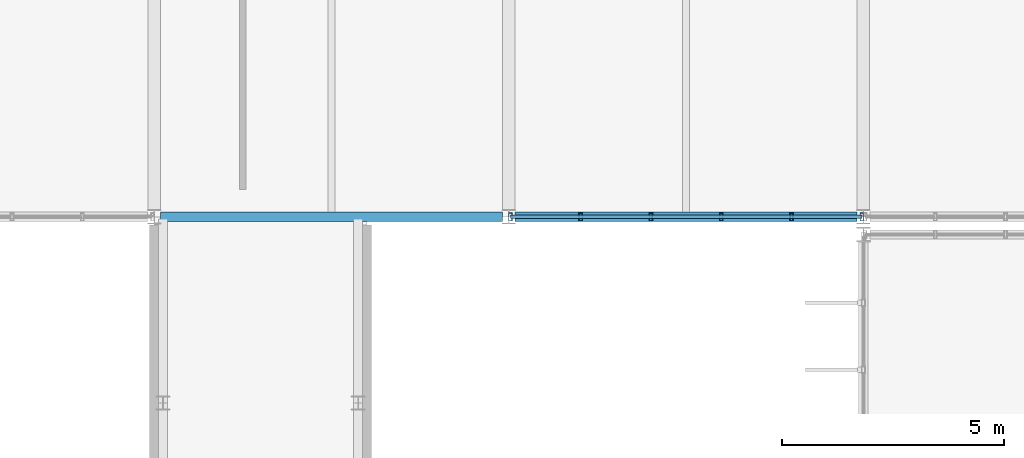
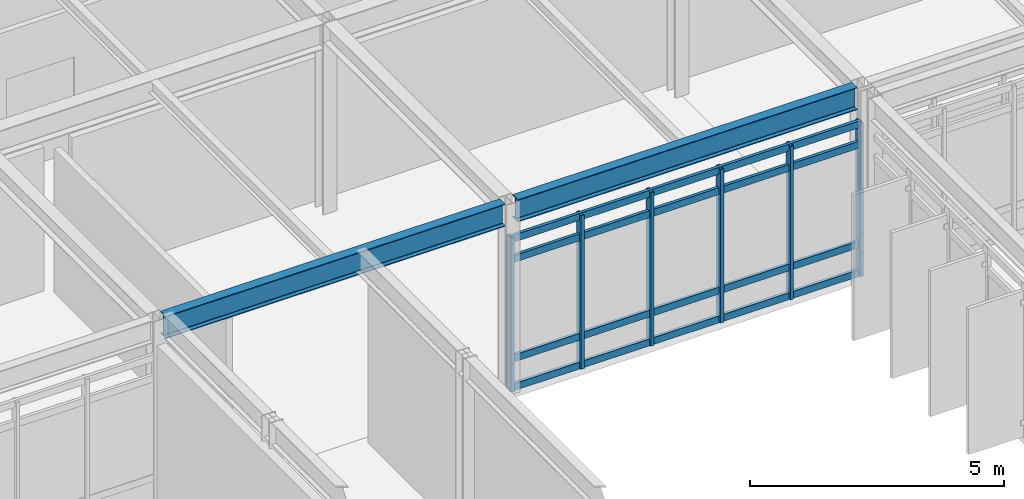
# One storey, part 32 of 104: 10 members, 2 beams, 1 element without a shape of its own.
"""IFC4 building model written with IfcOpenShell, lengths in metres."""

import ifcopenshell
import ifcopenshell.guid

model = None  # the IFC model being written
_history = None  # IfcOwnerHistory: only IFC2X3 demands one
_inside = {}  # id of a spatial element -> (the spatial element, [elements in it])
_under = {}  # id of a project, library or spatial element -> (it, [spatial elements below it])
_declared = {}  # id of a project -> (the project, [libraries it declares])
_typed = {}  # id of a type object -> (the type object, [elements of that type])
_made_of = {}  # id of a material, layer set ... -> (it, [elements and type objects made of it])


def new_model(schema):
    """Start an empty IFC model of exactly this schema.

    Asked for "IFC4X3", IfcOpenShell would pick the latest addendum, in which some entities
    have other attributes; the version numbers below select the first issue.
    IFC2X3 requires an IfcOwnerHistory on every rooted entity: one is made here for all.
    """
    global model, _history
    if schema == "IFC4X3":
        model = ifcopenshell.file(schema_version=(4, 3, 0, 0))
    else:
        model = ifcopenshell.file(schema=schema)
    _inside.clear()
    _under.clear()
    _declared.clear()
    _typed.clear()
    _made_of.clear()
    _history = None
    if model.schema == "IFC2X3":
        org = make("IfcOrganization", Name="unknown")
        user = make(
            "IfcPersonAndOrganization",
            ThePerson=make("IfcPerson", FamilyName="unknown"),
            TheOrganization=org,
        )
        app = make(
            "IfcApplication",
            ApplicationDeveloper=org,
            Version="unknown",
            ApplicationFullName="unknown",
            ApplicationIdentifier="unknown",
        )
        _history = make(
            "IfcOwnerHistory",
            OwningUser=user,
            OwningApplication=app,
            ChangeAction="ADDED",
            CreationDate=0,
        )
    return model


def make(cls, **values):
    """One entity of the class cls with the attributes given. An attribute that is None is left unset."""
    return model.create_entity(
        cls, **{name: value for name, value in values.items() if value is not None}
    )


def rooted(cls, **values):
    """An entity with a GlobalId (a new one), such as an element, a storey or a relation."""
    return make(cls, GlobalId=ifcopenshell.guid.new(), OwnerHistory=_history, **values)


def si_unit(unit_type, name, prefix=None):
    """IfcSIUnit, for example si_unit("LENGTHUNIT", "METRE", prefix="MILLI")."""
    return make("IfcSIUnit", UnitType=unit_type, Prefix=prefix, Name=name)


def assignment(units):
    """IfcUnitAssignment: the units of a project."""
    return None if units is None else make("IfcUnitAssignment", Units=units)


def point(xyz):
    """IfcCartesianPoint."""
    return None if xyz is None else make("IfcCartesianPoint", Coordinates=xyz)


def direction(xyz):
    """IfcDirection."""
    return None if xyz is None else make("IfcDirection", DirectionRatios=xyz)


def frame(location, z_axis=None, x_axis=None):
    """IfcAxis2Placement3D, a coordinate frame: its origin and axes. An axis left out is left unset."""
    return make(
        "IfcAxis2Placement3D",
        Location=point(location),
        Axis=direction(z_axis),
        RefDirection=direction(x_axis),
    )


def frame_2d(location, x_axis=None):
    """IfcAxis2Placement2D, a coordinate frame in the plane: its origin and x axis."""
    return make(
        "IfcAxis2Placement2D", Location=point(location), RefDirection=direction(x_axis)
    )


def origin():
    """The frame at (0, 0, 0) with its axes left unset."""
    return frame((0.0, 0.0, 0.0))


def origin_2d():
    """The frame at (0, 0) in the plane with its x axis left unset."""
    return frame_2d((0.0, 0.0))


def place(relative_to, where):
    """IfcLocalPlacement: puts the frame where relative to a parent placement (None: the world)."""
    return make(
        "IfcLocalPlacement", PlacementRelTo=relative_to, RelativePlacement=where
    )


def context(
    kind, dimensions, precision=None, world=None, true_north=None, identifier=None
):
    """IfcGeometricRepresentationContext, for example the 3D "Model" context."""
    return make(
        "IfcGeometricRepresentationContext",
        ContextIdentifier=identifier,
        ContextType=kind,
        CoordinateSpaceDimension=dimensions,
        Precision=precision,
        WorldCoordinateSystem=world,
        TrueNorth=true_north,
    )


def subcontext(parent, identifier, kind, view, scale=None):
    """IfcGeometricRepresentationSubContext, for example "Body" below "Model"."""
    return make(
        "IfcGeometricRepresentationSubContext",
        ContextIdentifier=identifier,
        ContextType=kind,
        ParentContext=parent,
        TargetScale=scale,
        TargetView=view,
    )


def project(units=None, contexts=None):
    """IfcProject with its units and contexts."""
    return rooted(
        "IfcProject",
        Name="project",
        RepresentationContexts=contexts,
        UnitsInContext=assignment(units),
    )


def spatial(cls, under=None, at=None, **own):
    """A site, building, storey or space (cls), placed at a placement, below another one or the project."""
    s = rooted(cls, ObjectPlacement=at, **own)
    if under is not None:
        _under.setdefault(under.id(), (under, []))[1].append(s)
    return s


def profile(cls, at=None, kind="AREA", **sizes):
    """A parametric profile (cls). Its sizes go by their IFC names, for example OverallWidth=200.0."""
    return make(cls, ProfileType=kind, Position=at, **sizes)


def hollow_rectangle(**sizes):
    """IfcRectangleHollowProfileDef."""
    return profile("IfcRectangleHollowProfileDef", **sizes)


def i_section(**sizes):
    """IfcIShapeProfileDef."""
    return profile("IfcIShapeProfileDef", **sizes)


def extrude(swept, where, along, depth):
    """IfcExtrudedAreaSolid: the profile swept, set in the frame where, extruded along a direction by depth."""
    return make(
        "IfcExtrudedAreaSolid",
        SweptArea=swept,
        Position=where,
        ExtrudedDirection=direction(along),
        Depth=depth,
    )


def shape(context_of_items, identifier, shape_type, items):
    """IfcShapeRepresentation: the items that make up one representation, for example the "Body"."""
    return make(
        "IfcShapeRepresentation",
        ContextOfItems=context_of_items,
        RepresentationIdentifier=identifier,
        RepresentationType=shape_type,
        Items=items,
    )


def material(Name=None, Category=None):
    """IfcMaterial."""
    return make("IfcMaterial", Name=Name, Category=Category)


def material_profile(
    of_material, cross_section, Name=None, Category=None, Priority=None
):
    """IfcMaterialProfile: a cross section and its material."""
    return make(
        "IfcMaterialProfile",
        Name=Name,
        Material=of_material,
        Profile=cross_section,
        Priority=Priority,
        Category=Category,
    )


def profile_set(profiles, Name=None, composite=None):
    """IfcMaterialProfileSet."""
    return make(
        "IfcMaterialProfileSet",
        Name=Name,
        MaterialProfiles=profiles,
        CompositeProfile=composite,
    )


def made_of(thing, what):
    """Note that an element or type object is made of a material, layer set ...; save() writes the relation."""
    if what is not None:
        _made_of.setdefault(what.id(), (what, []))[1].append(thing)
    return thing


def type_object(cls, material=None, **own):
    """A type object (cls), such as IfcWallType, which elements share."""
    return made_of(rooted(cls, **own), material)


def element(
    cls,
    number,
    at=None,
    inside=None,
    cuts=None,
    type_object=None,
    material=None,
    context=None,
    identifier="Body",
    shape_type=None,
    held_by="IfcProductDefinitionShape",
    body=None,
    shapes=None,
    **own,
):
    """One element of the class cls, such as IfcWall. Its Tag is "e" and its number.

    at: its placement. inside: the storey or other place that contains it. cuts: it is an
    opening in that element (IfcRelVoidsElement). A single representation is given by context,
    identifier, shape_type and body (its items); several are given by shapes. held_by: the class
    of the entity that holds the representations. save() writes the other relations.
    """
    e = rooted(cls, Tag="e%d" % number, ObjectPlacement=at, **own)
    if body is not None:
        shapes = [shape(context, identifier, shape_type, body)]
    if shapes is not None:
        e.Representation = make(held_by, Representations=shapes)
    if inside is not None:
        _inside.setdefault(inside.id(), (inside, []))[1].append(e)
    if cuts is not None:
        rooted(
            "IfcRelVoidsElement", RelatingBuildingElement=cuts, RelatedOpeningElement=e
        )
    if type_object is not None:
        _typed.setdefault(type_object.id(), (type_object, []))[1].append(e)
    return made_of(e, material)


def aggregate(whole, parts):
    """IfcRelAggregates: a whole, such as a stair, and the parts it consists of."""
    return rooted("IfcRelAggregates", RelatingObject=whole, RelatedObjects=parts)


def save(model, path):
    """Write the relations noted so far, then the file.

    IfcRelAggregates (storeys below a building ...), IfcRelContainedInSpatialStructure (elements
    in a storey), IfcRelDefinesByType, IfcRelAssociatesMaterial and IfcRelDeclares: one each for
    every whole, place, type object, material and project.
    """
    for whole, parts in _under.values():
        aggregate(whole, parts)
    for where, things in _inside.values():
        rooted(
            "IfcRelContainedInSpatialStructure",
            RelatedElements=things,
            RelatingStructure=where,
        )
    for kind, things in _typed.values():
        rooted("IfcRelDefinesByType", RelatedObjects=things, RelatingType=kind)
    for what, things in _made_of.values():
        rooted("IfcRelAssociatesMaterial", RelatedObjects=things, RelatingMaterial=what)
    for by, libraries in _declared.values():
        rooted("IfcRelDeclares", RelatingContext=by, RelatedDefinitions=libraries)
    model.write(path)


model = new_model("IFC4")

# Units and contexts
model_context = context("Model", 3, precision=1e-05, world=origin(), true_north=direction((0.0, 1.0)))
body_context = subcontext(model_context, "Body", "Model", "MODEL_VIEW")
ifc_project = project(units=[si_unit("LENGTHUNIT", "METRE"), si_unit("AREAUNIT", "SQUARE_METRE"), si_unit("VOLUMEUNIT", "CUBIC_METRE"), si_unit("PLANEANGLEUNIT", "RADIAN"), si_unit("MASSUNIT", "GRAM", prefix="KILO")], contexts=[model_context])

# Site, building, storey
site_placement = place(None, origin())
site = spatial("IfcSite", under=ifc_project, at=site_placement, CompositionType="ELEMENT")
building_placement = place(site_placement, origin())
building = spatial("IfcBuilding", under=site, at=building_placement, Name="Zulena Civic Courthouse", CompositionType="ELEMENT")
storey_placement = place(building_placement, frame((0.0, 0.0, 15.60009765625)))
storey = spatial("IfcBuildingStorey", under=building, at=storey_placement, Name="L03", CompositionType="ELEMENT", Elevation=15.60009765625)

# Curtain wall, members
ifc_material_1 = material(Name="Double-silver low-E laminated solar-control glass", Category="glass")
curtain_wall_type = type_object("IfcCurtainWallType", Name="CW_7928x3690", PredefinedType="USERDEFINED", material=ifc_material_1)
curtain_wall_placement = place(storey_placement, origin())
curtain_wall = element("IfcCurtainWall", 1, at=curtain_wall_placement, inside=storey, type_object=curtain_wall_type, Name="cw:V5:L03:5:5", ObjectType="UNITISED CURTAIN WALL", PredefinedType="USERDEFINED")
ifc_material_2 = material(Name="Bronze anodised thermally broken aluminium AA6063-T6", Category="aluminium")
ifc_material_profile_1 = material_profile(ifc_material_2, hollow_rectangle(XDim=0.074951171875, YDim=0.179931640625, WallThickness=0.0048828125, at=origin_2d()), Name="CWM180X75X5")
ifc_profile_set_1 = profile_set([ifc_material_profile_1], Name="Bronze anodised thermally broken aluminium AA6063-T6")
member_type_1 = type_object("IfcMemberType", Name="CWMullion_180x75", PredefinedType="MULLION", material=ifc_profile_set_1)
member_1_placement = place(storey_placement, frame((67.964111328125, 46.0, 0.0), z_axis=(0.0, 0.0, 1.0), x_axis=(1.0, 0.0, 0.0)))
member_1 = element("IfcMember", 2, at=member_1_placement, type_object=member_type_1, Name="cw:V5:L03:5:5:mull:0", PredefinedType="MULLION", context=body_context, shape_type="SweptSolid", body=[
    extrude(hollow_rectangle(XDim=0.074951171875, YDim=0.179931640625, WallThickness=0.0048828125, at=origin_2d()), origin(), (0.0, 0.0, 1.0), 3.68994140625),
])
member_2_placement = place(storey_placement, frame((66.37841796875, 46.0, 0.0), z_axis=(0.0, 0.0, 1.0), x_axis=(1.0, 0.0, 0.0)))
member_2 = element("IfcMember", 3, at=member_2_placement, type_object=member_type_1, Name="cw:V5:L03:5:5:mull:1", PredefinedType="MULLION", context=body_context, shape_type="SweptSolid", body=[
    extrude(hollow_rectangle(XDim=0.074951171875, YDim=0.179931640625, WallThickness=0.0048828125, at=origin_2d()), origin(), (0.0, 0.0, 1.0), 3.68994140625),
])
member_3_placement = place(storey_placement, frame((64.792724609375, 46.0, 0.0), z_axis=(0.0, 0.0, 1.0), x_axis=(1.0, 0.0, 0.0)))
member_3 = element("IfcMember", 4, at=member_3_placement, type_object=member_type_1, Name="cw:V5:L03:5:5:mull:2", PredefinedType="MULLION", context=body_context, shape_type="SweptSolid", body=[
    extrude(hollow_rectangle(XDim=0.074951171875, YDim=0.179931640625, WallThickness=0.0048828125, at=origin_2d()), origin(), (0.0, 0.0, 1.0), 3.68994140625),
])
member_4_placement = place(storey_placement, frame((63.207275390625, 46.0, 0.0), z_axis=(0.0, 0.0, 1.0), x_axis=(1.0, 0.0, 0.0)))
member_4 = element("IfcMember", 5, at=member_4_placement, type_object=member_type_1, Name="cw:V5:L03:5:5:mull:3", PredefinedType="MULLION", context=body_context, shape_type="SweptSolid", body=[
    extrude(hollow_rectangle(XDim=0.074951171875, YDim=0.179931640625, WallThickness=0.0048828125, at=origin_2d()), origin(), (0.0, 0.0, 1.0), 3.68994140625),
])
member_5_placement = place(storey_placement, frame((61.62158203125, 46.0, 0.0), z_axis=(0.0, 0.0, 1.0), x_axis=(1.0, 0.0, 0.0)))
member_5 = element("IfcMember", 6, at=member_5_placement, type_object=member_type_1, Name="cw:V5:L03:5:5:mull:4", PredefinedType="MULLION", context=body_context, shape_type="SweptSolid", body=[
    extrude(hollow_rectangle(XDim=0.074951171875, YDim=0.179931640625, WallThickness=0.0048828125, at=origin_2d()), origin(), (0.0, 0.0, 1.0), 3.68994140625),
])
member_6_placement = place(storey_placement, frame((60.035888671875, 46.0, 0.0), z_axis=(0.0, 0.0, 1.0), x_axis=(1.0, 0.0, 0.0)))
member_6 = element("IfcMember", 7, at=member_6_placement, type_object=member_type_1, Name="cw:V5:L03:5:5:mull:5", PredefinedType="MULLION", context=body_context, shape_type="SweptSolid", body=[
    extrude(hollow_rectangle(XDim=0.074951171875, YDim=0.179931640625, WallThickness=0.0048828125, at=origin_2d()), origin(), (0.0, 0.0, 1.0), 3.68994140625),
])
ifc_material_profile_2 = material_profile(ifc_material_2, hollow_rectangle(XDim=0.070068359375, YDim=0.1650390625, WallThickness=0.00390625, at=origin_2d()), Name="CWT165X70X4")
ifc_profile_set_2 = profile_set([ifc_material_profile_2], Name="Bronze anodised thermally broken aluminium AA6063-T6")
member_type_2 = type_object("IfcMemberType", Name="CWTransom_165x70", PredefinedType="USERDEFINED", material=ifc_profile_set_2)
member_7_placement = place(storey_placement, frame((67.964111328125, 46.0, 0.059814453125), z_axis=(-1.0, 0.0, 0.0), x_axis=(0.0, -1.0, 0.0)))
member_7 = element("IfcMember", 8, at=member_7_placement, type_object=member_type_2, Name="cw:V5:L03:5:5:tran:0", ObjectType="TRANSOM", PredefinedType="USERDEFINED", context=body_context, shape_type="SweptSolid", body=[
    extrude(hollow_rectangle(XDim=0.070068359375, YDim=0.1650390625, WallThickness=0.00390625, at=origin_2d()), origin(), (0.0, 0.0, 1.0), 7.92822265625),
])
member_8_placement = place(storey_placement, frame((67.964111328125, 46.0, 0.75), z_axis=(-1.0, 0.0, 0.0), x_axis=(0.0, -1.0, 0.0)))
member_8 = element("IfcMember", 9, at=member_8_placement, type_object=member_type_2, Name="cw:V5:L03:5:5:tran:1", ObjectType="TRANSOM", PredefinedType="USERDEFINED", context=body_context, shape_type="SweptSolid", body=[
    extrude(hollow_rectangle(XDim=0.070068359375, YDim=0.1650390625, WallThickness=0.00390625, at=origin_2d()), origin(), (0.0, 0.0, 1.0), 7.92822265625),
])
member_9_placement = place(storey_placement, frame((67.964111328125, 46.0, 3.139892578125), z_axis=(-1.0, 0.0, 0.0), x_axis=(0.0, -1.0, 0.0)))
member_9 = element("IfcMember", 10, at=member_9_placement, type_object=member_type_2, Name="cw:V5:L03:5:5:tran:2", ObjectType="TRANSOM", PredefinedType="USERDEFINED", context=body_context, shape_type="SweptSolid", body=[
    extrude(hollow_rectangle(XDim=0.070068359375, YDim=0.1650390625, WallThickness=0.00390625, at=origin_2d()), origin(), (0.0, 0.0, 1.0), 7.92822265625),
])
member_10_placement = place(storey_placement, frame((67.964111328125, 46.0, 3.6298828125), z_axis=(-1.0, 0.0, 0.0), x_axis=(0.0, -1.0, 0.0)))
member_10 = element("IfcMember", 11, at=member_10_placement, type_object=member_type_2, Name="cw:V5:L03:5:5:tran:3", ObjectType="TRANSOM", PredefinedType="USERDEFINED", context=body_context, shape_type="SweptSolid", body=[
    extrude(hollow_rectangle(XDim=0.070068359375, YDim=0.1650390625, WallThickness=0.00390625, at=origin_2d()), origin(), (0.0, 0.0, 1.0), 7.92822265625),
])
aggregate(curtain_wall, [member_1, member_2, member_3, member_4, member_5, member_6, member_7, member_8, member_9, member_10])

# Beams
ifc_material_3 = material(Name="Steel ASTM A992 Grade 50", Category="steel")
ifc_material_profile_3 = material_profile(ifc_material_3, i_section(OverallWidth=0.2099609375, OverallDepth=0.537109375, WebThickness=0.010986328125, FlangeThickness=0.017333984375, FilletRadius=0.0126953125, at=origin_2d()), Name="W21X68")
ifc_profile_set_3 = profile_set([ifc_material_profile_3], Name="Steel ASTM A992 Grade 50")
beam_type = type_object("IfcBeamType", Name="Spandrel_W21X68", PredefinedType="SPANDREL", material=ifc_profile_set_3)
for number, where, z_axis, x_axis, name in (
    (12, (52.14501953125, 46.0, 4.3212890625), (1.0, 0.0, 0.0), (0.0, 1.0, 0.0), "beam:X:V5:L03:46.0:52.0_60.0"),
    (13, (60.14501953125, 46.0, 4.3212890625), (1.0, 0.0, 0.0), (0.0, 1.0, 0.0), "beam:X:V5:L03:46.0:60.0_68.0"),
):
    element("IfcBeam", number, at=place(storey_placement, frame(where, z_axis=z_axis, x_axis=x_axis)), inside=storey, type_object=beam_type, Name=name, PredefinedType="SPANDREL", context=body_context, shape_type="SweptSolid", body=[
        extrude(i_section(OverallWidth=0.2099609375, OverallDepth=0.537109375, WebThickness=0.010986328125, FlangeThickness=0.017333984375, FilletRadius=0.0126953125, at=origin_2d()), origin(), (0.0, 0.0, 1.0), 7.7099609375),
    ])

save(model, "model.ifc")
